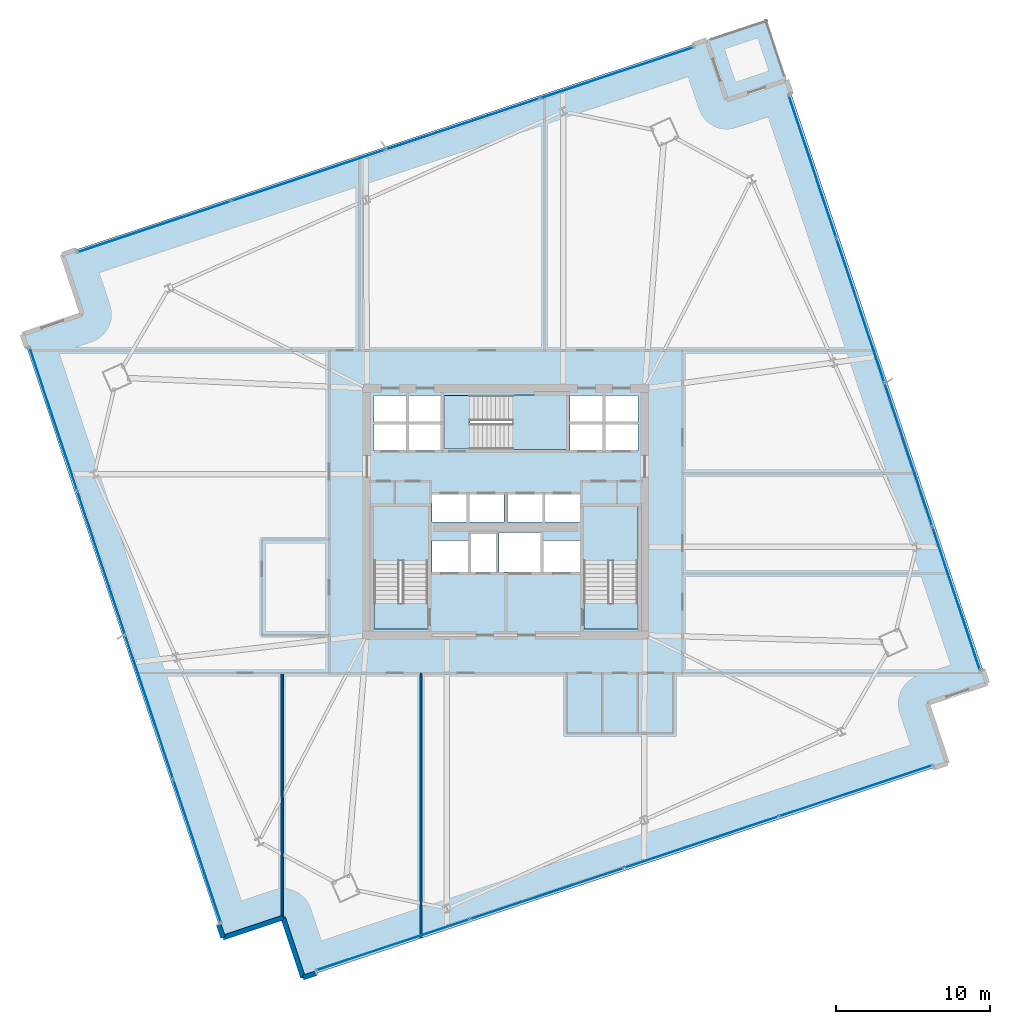
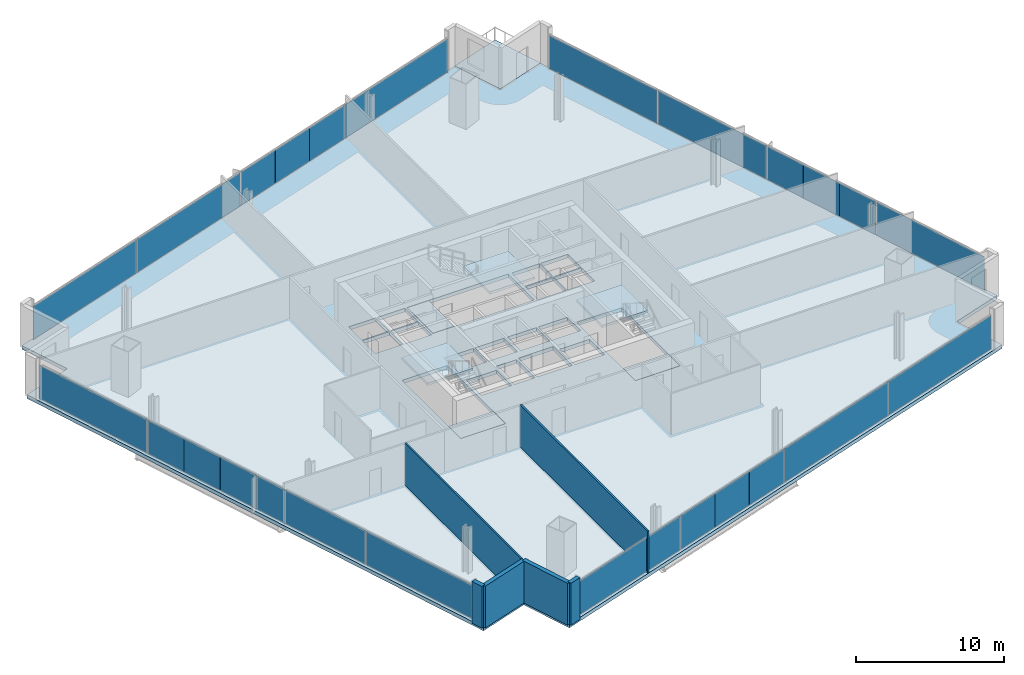
# One storey, part 24 of 34: 24 plates, 8 slabs, 6 walls, 7 elements without a shape of their own.
"""IFC4 building model written with IfcOpenShell, lengths in metres."""

import ifcopenshell
import ifcopenshell.guid

model = None  # the IFC model being written
_history = None  # IfcOwnerHistory: only IFC2X3 demands one
_inside = {}  # id of a spatial element -> (the spatial element, [elements in it])
_under = {}  # id of a project, library or spatial element -> (it, [spatial elements below it])
_declared = {}  # id of a project -> (the project, [libraries it declares])
_typed = {}  # id of a type object -> (the type object, [elements of that type])
_made_of = {}  # id of a material, layer set ... -> (it, [elements and type objects made of it])


def new_model(schema):
    """Start an empty IFC model of exactly this schema.

    Asked for "IFC4X3", IfcOpenShell would pick the latest addendum, in which some entities
    have other attributes; the version numbers below select the first issue.
    IFC2X3 requires an IfcOwnerHistory on every rooted entity: one is made here for all.
    """
    global model, _history
    if schema == "IFC4X3":
        model = ifcopenshell.file(schema_version=(4, 3, 0, 0))
    else:
        model = ifcopenshell.file(schema=schema)
    _inside.clear()
    _under.clear()
    _declared.clear()
    _typed.clear()
    _made_of.clear()
    _history = None
    if model.schema == "IFC2X3":
        org = make("IfcOrganization", Name="unknown")
        user = make(
            "IfcPersonAndOrganization",
            ThePerson=make("IfcPerson", FamilyName="unknown"),
            TheOrganization=org,
        )
        app = make(
            "IfcApplication",
            ApplicationDeveloper=org,
            Version="unknown",
            ApplicationFullName="unknown",
            ApplicationIdentifier="unknown",
        )
        _history = make(
            "IfcOwnerHistory",
            OwningUser=user,
            OwningApplication=app,
            ChangeAction="ADDED",
            CreationDate=0,
        )
    return model


def make(cls, **values):
    """One entity of the class cls with the attributes given. An attribute that is None is left unset."""
    return model.create_entity(
        cls, **{name: value for name, value in values.items() if value is not None}
    )


def rooted(cls, **values):
    """An entity with a GlobalId (a new one), such as an element, a storey or a relation."""
    return make(cls, GlobalId=ifcopenshell.guid.new(), OwnerHistory=_history, **values)


def si_unit(unit_type, name, prefix=None):
    """IfcSIUnit, for example si_unit("LENGTHUNIT", "METRE", prefix="MILLI")."""
    return make("IfcSIUnit", UnitType=unit_type, Prefix=prefix, Name=name)


def assignment(units):
    """IfcUnitAssignment: the units of a project."""
    return None if units is None else make("IfcUnitAssignment", Units=units)


def point(xyz):
    """IfcCartesianPoint."""
    return None if xyz is None else make("IfcCartesianPoint", Coordinates=xyz)


def direction(xyz):
    """IfcDirection."""
    return None if xyz is None else make("IfcDirection", DirectionRatios=xyz)


def frame(location, z_axis=None, x_axis=None):
    """IfcAxis2Placement3D, a coordinate frame: its origin and axes. An axis left out is left unset."""
    return make(
        "IfcAxis2Placement3D",
        Location=point(location),
        Axis=direction(z_axis),
        RefDirection=direction(x_axis),
    )


def frame_2d(location, x_axis=None):
    """IfcAxis2Placement2D, a coordinate frame in the plane: its origin and x axis."""
    return make(
        "IfcAxis2Placement2D", Location=point(location), RefDirection=direction(x_axis)
    )


def origin():
    """The frame at (0, 0, 0) with its axes left unset."""
    return frame((0.0, 0.0, 0.0))


def origin_2d():
    """The frame at (0, 0) in the plane with its x axis left unset."""
    return frame_2d((0.0, 0.0))


def place(relative_to, where):
    """IfcLocalPlacement: puts the frame where relative to a parent placement (None: the world)."""
    return make(
        "IfcLocalPlacement", PlacementRelTo=relative_to, RelativePlacement=where
    )


def context(
    kind, dimensions, precision=None, world=None, true_north=None, identifier=None
):
    """IfcGeometricRepresentationContext, for example the 3D "Model" context."""
    return make(
        "IfcGeometricRepresentationContext",
        ContextIdentifier=identifier,
        ContextType=kind,
        CoordinateSpaceDimension=dimensions,
        Precision=precision,
        WorldCoordinateSystem=world,
        TrueNorth=true_north,
    )


def subcontext(parent, identifier, kind, view, scale=None):
    """IfcGeometricRepresentationSubContext, for example "Body" below "Model"."""
    return make(
        "IfcGeometricRepresentationSubContext",
        ContextIdentifier=identifier,
        ContextType=kind,
        ParentContext=parent,
        TargetScale=scale,
        TargetView=view,
    )


def project(units=None, contexts=None):
    """IfcProject with its units and contexts."""
    return rooted(
        "IfcProject",
        Name="project",
        RepresentationContexts=contexts,
        UnitsInContext=assignment(units),
    )


def spatial(cls, under=None, at=None, **own):
    """A site, building, storey or space (cls), placed at a placement, below another one or the project."""
    s = rooted(cls, ObjectPlacement=at, **own)
    if under is not None:
        _under.setdefault(under.id(), (under, []))[1].append(s)
    return s


def polyline(points):
    """IfcPolyline through the points."""
    return make("IfcPolyline", Points=[point(p) for p in points])


def profile(cls, at=None, kind="AREA", **sizes):
    """A parametric profile (cls). Its sizes go by their IFC names, for example OverallWidth=200.0."""
    return make(cls, ProfileType=kind, Position=at, **sizes)


def rectangle(**sizes):
    """IfcRectangleProfileDef."""
    return profile("IfcRectangleProfileDef", **sizes)


def outline(outer, holes=None, kind="AREA"):
    """IfcArbitraryClosedProfileDef: a profile drawn as a closed curve; with holes, ...WithVoids."""
    if holes is None:
        return make("IfcArbitraryClosedProfileDef", ProfileType=kind, OuterCurve=outer)
    return make(
        "IfcArbitraryProfileDefWithVoids",
        ProfileType=kind,
        OuterCurve=outer,
        InnerCurves=holes,
    )


def extrude(swept, where, along, depth):
    """IfcExtrudedAreaSolid: the profile swept, set in the frame where, extruded along a direction by depth."""
    return make(
        "IfcExtrudedAreaSolid",
        SweptArea=swept,
        Position=where,
        ExtrudedDirection=direction(along),
        Depth=depth,
    )


def shape(context_of_items, identifier, shape_type, items):
    """IfcShapeRepresentation: the items that make up one representation, for example the "Body"."""
    return make(
        "IfcShapeRepresentation",
        ContextOfItems=context_of_items,
        RepresentationIdentifier=identifier,
        RepresentationType=shape_type,
        Items=items,
    )


def source(mapping_origin, context_of_items, identifier, shape_type, items):
    """IfcRepresentationMap: a shape defined once, which mapped items show again and again."""
    return make(
        "IfcRepresentationMap",
        MappingOrigin=mapping_origin,
        MappedRepresentation=shape(context_of_items, identifier, shape_type, items),
    )


def transform(
    local_origin,
    x_axis=None,
    y_axis=None,
    z_axis=None,
    scale=None,
    scale2=None,
    scale3=None,
    uniform=True,
):
    """IfcCartesianTransformationOperator3D, or its non-uniform kind. x_axis, y_axis, z_axis: its Axis1, 2, 3."""
    if uniform:
        return make(
            "IfcCartesianTransformationOperator3D",
            Axis1=direction(x_axis),
            Axis2=direction(y_axis),
            LocalOrigin=point(local_origin),
            Scale=scale,
            Axis3=direction(z_axis),
        )
    return make(
        "IfcCartesianTransformationOperator3DnonUniform",
        Axis1=direction(x_axis),
        Axis2=direction(y_axis),
        LocalOrigin=point(local_origin),
        Scale=scale,
        Axis3=direction(z_axis),
        Scale2=scale2,
        Scale3=scale3,
    )


def mapped(mapping_source, mapping_target):
    """IfcMappedItem: shows the shape of a source again, moved by a transform."""
    return make(
        "IfcMappedItem", MappingSource=mapping_source, MappingTarget=mapping_target
    )


def material(Name=None, Category=None):
    """IfcMaterial."""
    return make("IfcMaterial", Name=Name, Category=Category)


def layer(
    of_material, thickness, ventilated=None, Name=None, Category=None, Priority=None
):
    """IfcMaterialLayer: one layer of a wall or slab, of a material (None: an air gap)."""
    return make(
        "IfcMaterialLayer",
        Material=of_material,
        LayerThickness=thickness,
        IsVentilated=ventilated,
        Name=Name,
        Category=Category,
        Priority=Priority,
    )


def layer_set(layers, Name=None):
    """IfcMaterialLayerSet."""
    return make("IfcMaterialLayerSet", MaterialLayers=layers, LayerSetName=Name)


def made_of(thing, what):
    """Note that an element or type object is made of a material, layer set ...; save() writes the relation."""
    if what is not None:
        _made_of.setdefault(what.id(), (what, []))[1].append(thing)
    return thing


def type_object(cls, material=None, **own):
    """A type object (cls), such as IfcWallType, which elements share."""
    return made_of(rooted(cls, **own), material)


def element(
    cls,
    number,
    at=None,
    inside=None,
    cuts=None,
    type_object=None,
    material=None,
    context=None,
    identifier="Body",
    shape_type=None,
    held_by="IfcProductDefinitionShape",
    body=None,
    shapes=None,
    **own,
):
    """One element of the class cls, such as IfcWall. Its Tag is "e" and its number.

    at: its placement. inside: the storey or other place that contains it. cuts: it is an
    opening in that element (IfcRelVoidsElement). A single representation is given by context,
    identifier, shape_type and body (its items); several are given by shapes. held_by: the class
    of the entity that holds the representations. save() writes the other relations.
    """
    e = rooted(cls, Tag="e%d" % number, ObjectPlacement=at, **own)
    if body is not None:
        shapes = [shape(context, identifier, shape_type, body)]
    if shapes is not None:
        e.Representation = make(held_by, Representations=shapes)
    if inside is not None:
        _inside.setdefault(inside.id(), (inside, []))[1].append(e)
    if cuts is not None:
        rooted(
            "IfcRelVoidsElement", RelatingBuildingElement=cuts, RelatedOpeningElement=e
        )
    if type_object is not None:
        _typed.setdefault(type_object.id(), (type_object, []))[1].append(e)
    return made_of(e, material)


def aggregate(whole, parts):
    """IfcRelAggregates: a whole, such as a stair, and the parts it consists of."""
    return rooted("IfcRelAggregates", RelatingObject=whole, RelatedObjects=parts)


def save(model, path):
    """Write the relations noted so far, then the file.

    IfcRelAggregates (storeys below a building ...), IfcRelContainedInSpatialStructure (elements
    in a storey), IfcRelDefinesByType, IfcRelAssociatesMaterial and IfcRelDeclares: one each for
    every whole, place, type object, material and project.
    """
    for whole, parts in _under.values():
        aggregate(whole, parts)
    for where, things in _inside.values():
        rooted(
            "IfcRelContainedInSpatialStructure",
            RelatedElements=things,
            RelatingStructure=where,
        )
    for kind, things in _typed.values():
        rooted("IfcRelDefinesByType", RelatedObjects=things, RelatingType=kind)
    for what, things in _made_of.values():
        rooted("IfcRelAssociatesMaterial", RelatedObjects=things, RelatingMaterial=what)
    for by, libraries in _declared.values():
        rooted("IfcRelDeclares", RelatingContext=by, RelatedDefinitions=libraries)
    model.write(path)


model = new_model("IFC4")

# Units and contexts
model_context = context("Model", 3, precision=1e-05, world=origin(), true_north=direction((0.0, 1.0)))
body_context = subcontext(model_context, "Body", "Model", "MODEL_VIEW")
ifc_project = project(units=[si_unit("LENGTHUNIT", "METRE"), si_unit("AREAUNIT", "SQUARE_METRE"), si_unit("VOLUMEUNIT", "CUBIC_METRE"), si_unit("PLANEANGLEUNIT", "RADIAN"), si_unit("MASSUNIT", "GRAM", prefix="KILO")], contexts=[model_context])

# Site, building, storey
site_placement = place(None, origin())
site = spatial("IfcSite", under=ifc_project, at=site_placement, CompositionType="ELEMENT")
building_placement = place(site_placement, origin())
building = spatial("IfcBuilding", under=site, at=building_placement, Name="Haldenkirk Collegiate Tower", CompositionType="ELEMENT")
storey_placement = place(building_placement, frame((0.0, 0.0, 90.449951171875)))
storey = spatial("IfcBuildingStorey", under=building, at=storey_placement, Name="L21", CompositionType="ELEMENT", Elevation=90.449951171875)

# Slab
ifc_material_1 = material(Name="Concrete f'c 40 MPa", Category="concrete")
ifc_layer_1 = layer(ifc_material_1, 0.300048828125)
ifc_layer_set_1 = layer_set([ifc_layer_1], Name="Concrete f'c 40 MPa")
slab_type_1 = type_object("IfcSlabType", Name="SLB-FLR-300", PredefinedType="FLOOR", material=ifc_layer_set_1)
slab_1_placement = place(storey_placement, frame((0.0, 0.0, -0.300048828125)))
element("IfcSlab", 1, at=slab_1_placement, inside=storey, type_object=slab_type_1, Name="L21 composite structural floor slab", PredefinedType="FLOOR", context=body_context, shape_type="SweptSolid", body=[
    extrude(outline(polyline([(22.858154296875, -4.191650390625), (64.608642578125, 9.69677734375), (63.314453125, 13.587158203125), (67.204833984375, 14.88134765625), (54.2001953125, 53.97509765625), (50.309814453125, 52.680908203125), (49.015625, 56.5712890625), (7.26513671875, 42.6826171875), (8.55908203125, 38.792236328125), (4.668701171875, 37.498291015625), (17.673583984375, -1.595458984375), (21.56396484375, -0.30126953125), (22.858154296875, -4.191650390625)]), holes=[polyline([(27.449951171875, 18.39990234375), (30.949951171875, 18.39990234375), (30.949951171875, 26.300048828125), (27.449951171875, 26.300048828125), (27.449951171875, 18.39990234375)]), polyline([(41.050048828125, 18.39990234375), (44.550048828125, 18.39990234375), (44.550048828125, 26.300048828125), (41.050048828125, 26.300048828125), (41.050048828125, 18.39990234375)]), polyline([(32.0, 30.050048828125), (39.89990234375, 30.050048828125), (39.89990234375, 33.550048828125), (32.0, 33.550048828125), (32.0, 30.050048828125)]), polyline([(33.75, 22.10009765625), (35.35009765625, 22.10009765625), (35.35009765625, 24.550048828125), (33.75, 24.550048828125), (33.75, 22.10009765625)]), polyline([(27.449951171875, 29.949951171875), (29.580078125, 29.949951171875), (29.580078125, 31.699951171875), (27.449951171875, 31.699951171875), (27.449951171875, 29.949951171875)]), polyline([(29.679931640625, 29.949951171875), (31.85009765625, 29.949951171875), (31.85009765625, 31.699951171875), (29.679931640625, 31.699951171875), (29.679931640625, 29.949951171875)]), polyline([(27.449951171875, 31.800048828125), (29.580078125, 31.800048828125), (29.580078125, 33.550048828125), (27.449951171875, 33.550048828125), (27.449951171875, 31.800048828125)]), polyline([(29.679931640625, 31.800048828125), (31.85009765625, 31.800048828125), (31.85009765625, 33.550048828125), (29.679931640625, 33.550048828125), (29.679931640625, 31.800048828125)]), polyline([(40.14990234375, 29.949951171875), (42.320068359375, 29.949951171875), (42.320068359375, 31.699951171875), (40.14990234375, 31.699951171875), (40.14990234375, 29.949951171875)]), polyline([(42.419921875, 29.949951171875), (44.550048828125, 29.949951171875), (44.550048828125, 31.699951171875), (42.419921875, 31.699951171875), (42.419921875, 29.949951171875)]), polyline([(40.14990234375, 31.800048828125), (42.320068359375, 31.800048828125), (42.320068359375, 33.550048828125), (40.14990234375, 33.550048828125), (40.14990234375, 31.800048828125)]), polyline([(42.419921875, 31.800048828125), (44.550048828125, 31.800048828125), (44.550048828125, 33.550048828125), (42.419921875, 33.550048828125), (42.419921875, 31.800048828125)]), polyline([(31.199951171875, 25.35009765625), (33.47998046875, 25.35009765625), (33.47998046875, 27.14990234375), (31.199951171875, 27.14990234375), (31.199951171875, 25.35009765625)]), polyline([(33.60009765625, 25.35009765625), (35.8798828125, 25.35009765625), (35.8798828125, 27.14990234375), (33.60009765625, 27.14990234375), (33.60009765625, 25.35009765625)]), polyline([(36.1201171875, 25.35009765625), (38.39990234375, 25.35009765625), (38.39990234375, 27.14990234375), (36.1201171875, 27.14990234375), (36.1201171875, 25.35009765625)]), polyline([(38.52001953125, 25.35009765625), (40.800048828125, 25.35009765625), (40.800048828125, 27.14990234375), (38.52001953125, 27.14990234375), (38.52001953125, 25.35009765625)]), polyline([(31.199951171875, 22.10009765625), (33.550048828125, 22.10009765625), (33.550048828125, 24.14990234375), (31.199951171875, 24.14990234375), (31.199951171875, 22.10009765625)]), polyline([(38.449951171875, 22.10009765625), (40.800048828125, 22.10009765625), (40.800048828125, 24.14990234375), (38.449951171875, 24.14990234375), (38.449951171875, 22.10009765625)]), polyline([(35.550048828125, 22.10009765625), (38.25, 22.10009765625), (38.25, 24.64990234375), (35.550048828125, 24.64990234375), (35.550048828125, 22.10009765625)])]), origin(), (0.0, 0.0, 1.0), 0.300048828125),
])

# Stair, slab
stair_type = type_object("IfcStairType", Name="STR-DOGLEG-1650", PredefinedType="HALF_TURN_STAIR", material=ifc_material_1)
stair_1_placement = place(storey_placement, origin())
stair_1 = element("IfcStair", 2, at=stair_1_placement, inside=storey, type_object=stair_type, Name="L21 Core Exit Stair ST-1", PredefinedType="HALF_TURN_STAIR")
ifc_layer_2 = layer(ifc_material_1, 0.199951171875)
ifc_layer_set_2 = layer_set([ifc_layer_2], Name="Concrete f'c 40 MPa")
slab_type_2 = type_object("IfcSlabType", Name="SLB-LANDING-200", PredefinedType="LANDING", material=ifc_layer_set_2)
slab_2_placement = place(storey_placement, frame((0.0, 0.0, 1.675048828125)))
slab_2 = element("IfcSlab", 3, at=slab_2_placement, type_object=slab_type_2, Name="ST-1 landing 1", PredefinedType="LANDING", context=body_context, shape_type="SweptSolid", body=[
    extrude(outline(polyline([(30.97509765625, 22.824951171875), (27.425048828125, 22.824951171875), (27.425048828125, 26.324951171875), (30.97509765625, 26.324951171875), (30.97509765625, 22.824951171875)])), origin(), (0.0, 0.0, 1.0), 0.199951171875),
])
aggregate(stair_1, [slab_2])

stair_2_placement = place(storey_placement, origin())
stair_2 = element("IfcStair", 4, at=stair_2_placement, inside=storey, type_object=stair_type, Name="L21 Core Exit Stair ST-2", PredefinedType="HALF_TURN_STAIR")
slab_3_placement = place(storey_placement, frame((0.0, 0.0, 1.675048828125)))
slab_3 = element("IfcSlab", 5, at=slab_3_placement, type_object=slab_type_2, Name="ST-2 landing 1", PredefinedType="LANDING", context=body_context, shape_type="SweptSolid", body=[
    extrude(outline(polyline([(44.574951171875, 22.824951171875), (41.02490234375, 22.824951171875), (41.02490234375, 26.324951171875), (44.574951171875, 26.324951171875), (44.574951171875, 22.824951171875)])), origin(), (0.0, 0.0, 1.0), 0.199951171875),
])
aggregate(stair_2, [slab_3])

stair_3_placement = place(storey_placement, origin())
stair_3 = element("IfcStair", 6, at=stair_3_placement, inside=storey, type_object=stair_type, Name="L21 Core Exit Stair ST-3", PredefinedType="HALF_TURN_STAIR")
slab_4_placement = place(storey_placement, frame((0.0, 0.0, 1.675048828125)))
slab_4 = element("IfcSlab", 7, at=slab_4_placement, type_object=slab_type_2, Name="ST-3 landing 1", PredefinedType="LANDING", context=body_context, shape_type="SweptSolid", body=[
    extrude(outline(polyline([(36.425048828125, 30.02490234375), (36.425048828125, 33.574951171875), (39.925048828125, 33.574951171875), (39.925048828125, 30.02490234375), (36.425048828125, 30.02490234375)])), origin(), (0.0, 0.0, 1.0), 0.199951171875),
])
aggregate(stair_3, [slab_4])

# Slabs
ifc_layer_3 = layer(ifc_material_1, 0.25)
ifc_layer_set_3 = layer_set([ifc_layer_3], Name="Concrete f'c 40 MPa")
slab_type_3 = type_object("IfcSlabType", Name="SLB-STAIRLAND-250", PredefinedType="LANDING", material=ifc_layer_set_3)
slab_5_placement = place(storey_placement, frame((0.0, 0.0, -0.25)))
element("IfcSlab", 8, at=slab_5_placement, inside=storey, type_object=slab_type_3, Name="L21 stair ST1 structural floor landing slab", PredefinedType="LANDING", context=body_context, shape_type="SweptSolid", body=[
    extrude(outline(polyline([(27.4599609375, 18.409912109375), (30.93994140625, 18.409912109375), (30.93994140625, 20.080078125), (27.4599609375, 20.080078125), (27.4599609375, 18.409912109375)])), origin(), (0.0, 0.0, 1.0), 0.25),
])
slab_6_placement = place(storey_placement, frame((0.0, 0.0, -0.25)))
element("IfcSlab", 9, at=slab_6_placement, inside=storey, type_object=slab_type_3, Name="L21 stair ST2 structural floor landing slab", PredefinedType="LANDING", context=body_context, shape_type="SweptSolid", body=[
    extrude(outline(polyline([(41.06005859375, 18.409912109375), (44.5400390625, 18.409912109375), (44.5400390625, 20.080078125), (41.06005859375, 20.080078125), (41.06005859375, 18.409912109375)])), origin(), (0.0, 0.0, 1.0), 0.25),
])
slab_7_placement = place(storey_placement, frame((0.0, 0.0, -0.25)))
element("IfcSlab", 10, at=slab_7_placement, inside=storey, type_object=slab_type_3, Name="L21 stair ST3 structural floor landing slab", PredefinedType="LANDING", context=body_context, shape_type="SweptSolid", body=[
    extrude(outline(polyline([(32.010009765625, 30.06005859375), (33.679931640625, 30.06005859375), (33.679931640625, 33.5400390625), (32.010009765625, 33.5400390625), (32.010009765625, 30.06005859375)])), origin(), (0.0, 0.0, 1.0), 0.25),
])
ifc_layer_4 = layer(ifc_material_1, 0.22998046875)
ifc_layer_set_4 = layer_set([ifc_layer_4], Name="Concrete f'c 40 MPa")
slab_type_4 = type_object("IfcSlabType", Name="SLB-TERR-SPIRAL-230", PredefinedType="FLOOR", material=ifc_layer_set_4)
slab_8_placement = place(storey_placement, frame((0.0, 0.0, -0.22998046875)))
element("IfcSlab", 11, at=slab_8_placement, inside=storey, type_object=slab_type_4, Name="L21 spiralling corner terrace slab", PredefinedType="FLOOR", context=body_context, shape_type="SweptSolid", body=[
    extrude(outline(polyline([(50.309814453125, 52.680908203125), (54.2001953125, 53.97509765625), (52.906005859375, 57.865478515625), (49.015625, 56.5712890625), (50.309814453125, 52.680908203125)])), origin(), (0.0, 0.0, 1.0), 0.22998046875),
])

# Curtain wall, plates
ifc_material_2 = material(Name="Anodised architectural bronze aluminium", Category="aluminium")
curtain_wall_type_1 = type_object("IfcCurtainWallType", Name="CW-SYS2-CONCAVE", PredefinedType="USERDEFINED", material=ifc_material_2)
curtain_wall_1_placement = place(storey_placement, origin())
curtain_wall_1 = element("IfcCurtainWall", 12, at=curtain_wall_1_placement, inside=storey, type_object=curtain_wall_type_1, Name="L21 South concave recessed bronze-anodised curtain wall", ObjectType="UNITISED CURTAIN WALL", PredefinedType="USERDEFINED")
ifc_material_3 = material(Name="Low-E argon triple insulating glass", Category="glass")
ifc_layer_5 = layer(ifc_material_3, 0.0419921875)
ifc_layer_set_5 = layer_set([ifc_layer_5], Name="Low-E argon triple insulating glass")
plate_type_1 = type_object("IfcPlateType", Name="CW-PNL-02", PredefinedType="CURTAIN_PANEL", material=ifc_layer_set_5)
shared_shape_1 = source(origin(), body_context, "Body", "SweptSolid", [
    extrude(rectangle(XDim=10.4375, YDim=0.0419921875, at=origin_2d()), origin(), (0.0, 0.0, 1.0), 2.7509765625),
])
plate_1_placement = place(storey_placement, frame((58.6748046875, 7.91259765625, 0.074951171875), z_axis=(0.0, 0.0, 1.0), x_axis=(-0.948876722142, -0.315646901106, 0.0)))
plate_1 = element("IfcPlate", 13, at=plate_1_placement, type_object=plate_type_1, Name="CW-02 panel 1.1", PredefinedType="CURTAIN_PANEL", context=body_context, shape_type="MappedRepresentation", body=[
    mapped(shared_shape_1, transform((0.0, 0.0, 0.0), x_axis=(1.0, 0.0, 0.0), y_axis=(0.0, 1.0, 0.0), z_axis=(0.0, 0.0, 1.0), scale=1.0)),
])
plate_2_placement = place(storey_placement, frame((28.678466796875, -2.06591796875, 0.074951171875), z_axis=(0.0, 0.0, 1.0), x_axis=(-0.948876722142, -0.315646901106, 0.0)))
plate_2 = element("IfcPlate", 14, at=plate_2_placement, type_object=plate_type_1, Name="CW-02 panel 4.1", PredefinedType="CURTAIN_PANEL", context=body_context, shape_type="MappedRepresentation", body=[
    mapped(shared_shape_1, transform((0.0, 0.0, 0.0), x_axis=(1.0, 0.0, 0.0), y_axis=(0.0, 1.0, 0.0), z_axis=(0.0, 0.0, 1.0), scale=1.0)),
])
shared_shape_2 = source(origin(), body_context, "Body", "SweptSolid", [
    extrude(rectangle(XDim=10.47509765625, YDim=0.0419921875, at=origin_2d()), origin(), (0.0, 0.0, 1.0), 2.7509765625),
])
plate_3_placement = place(storey_placement, frame((48.681884765625, 4.58837890625, 0.074951171875), z_axis=(0.0, 0.0, 1.0), x_axis=(-0.948876722142, -0.315646901106, 0.0)))
plate_3 = element("IfcPlate", 15, at=plate_3_placement, type_object=plate_type_1, Name="CW-02 panel 2.1", PredefinedType="CURTAIN_PANEL", context=body_context, shape_type="MappedRepresentation", body=[
    mapped(shared_shape_2, transform((0.0, 0.0, 0.0), x_axis=(1.0, 0.0, 0.0), y_axis=(0.0, 1.0, 0.0), z_axis=(0.0, 0.0, 1.0), scale=1.0)),
])
ifc_material_4 = material(Name="Bronze-anodised insulated aluminium spandrel panel", Category="aluminium")
ifc_layer_6 = layer(ifc_material_4, 0.0419921875)
ifc_layer_set_6 = layer_set([ifc_layer_6], Name="Bronze-anodised insulated aluminium spandrel panel")
plate_type_2 = type_object("IfcPlateType", Name="CW-SPD-02", PredefinedType="CURTAIN_PANEL", material=ifc_layer_set_6)
shared_shape_3 = source(origin(), body_context, "Body", "SweptSolid", [
    extrude(rectangle(XDim=3.479248046875, YDim=0.0419921875, at=origin_2d()), origin(), (0.0, 0.0, 1.0), 2.7509765625),
])
plate_4_placement = place(storey_placement, frame((41.990478515625, 2.3623046875, 0.074951171875), z_axis=(0.0, 0.0, 1.0), x_axis=(-0.948876722142, -0.315646901106, 0.0)))
plate_4 = element("IfcPlate", 16, at=plate_4_placement, type_object=plate_type_2, Name="CW-02 spandrel panel 3.1a", PredefinedType="CURTAIN_PANEL", context=body_context, shape_type="MappedRepresentation", body=[
    mapped(shared_shape_3, transform((0.0, 0.0, 0.0), x_axis=(1.0, 0.0, 0.0), y_axis=(0.0, 1.0, 0.0), z_axis=(0.0, 0.0, 1.0), scale=1.0)),
])
plate_5_placement = place(storey_placement, frame((35.352294921875, 0.154296875, 0.074951171875), z_axis=(0.0, 0.0, 1.0), x_axis=(-0.948876722142, -0.315646901106, 0.0)))
plate_5 = element("IfcPlate", 17, at=plate_5_placement, type_object=plate_type_2, Name="CW-02 spandrel panel 3.1c", PredefinedType="CURTAIN_PANEL", context=body_context, shape_type="MappedRepresentation", body=[
    mapped(shared_shape_3, transform((0.0, 0.0, 0.0), x_axis=(1.0, 0.0, 0.0), y_axis=(0.0, 1.0, 0.0), z_axis=(0.0, 0.0, 1.0), scale=1.0)),
])
shared_shape_4 = source(origin(), body_context, "Body", "SweptSolid", [
    extrude(rectangle(XDim=3.466796875, YDim=0.0419921875, at=origin_2d()), origin(), (0.0, 0.0, 1.0), 2.7509765625),
])
plate_6_placement = place(storey_placement, frame((38.67138671875, 1.25830078125, 0.074951171875), z_axis=(0.0, 0.0, 1.0), x_axis=(-0.948876722142, -0.315646901106, 0.0)))
plate_6 = element("IfcPlate", 18, at=plate_6_placement, type_object=plate_type_2, Name="CW-02 spandrel panel 3.1b", PredefinedType="CURTAIN_PANEL", context=body_context, shape_type="MappedRepresentation", body=[
    mapped(shared_shape_4, transform((0.0, 0.0, 0.0), x_axis=(1.0, 0.0, 0.0), y_axis=(0.0, 1.0, 0.0), z_axis=(0.0, 0.0, 1.0), scale=1.0)),
])
aggregate(curtain_wall_1, [plate_1, plate_3, plate_4, plate_6, plate_5, plate_2])

curtain_wall_type_2 = type_object("IfcCurtainWallType", Name="CW-SYS1-CONVEX-LOW", PredefinedType="USERDEFINED", material=ifc_material_2)
curtain_wall_2_placement = place(storey_placement, origin())
curtain_wall_2 = element("IfcCurtainWall", 19, at=curtain_wall_2_placement, inside=storey, type_object=curtain_wall_type_2, Name="L21 Lower tower convex bronze-framed unitised curtain wall", ObjectType="UNITISED CURTAIN WALL", PredefinedType="USERDEFINED")
ifc_layer_7 = layer(ifc_material_3, 0.0439453125)
ifc_layer_set_7 = layer_set([ifc_layer_7], Name="Low-E argon triple insulating glass")
plate_type_3 = type_object("IfcPlateType", Name="CW-PNL-1A", PredefinedType="CURTAIN_PANEL", material=ifc_layer_set_7)
shared_shape_5 = source(origin(), body_context, "Body", "SweptSolid", [
    extrude(rectangle(XDim=9.72998046875, YDim=0.0439453125, at=origin_2d()), origin(), (0.0, 0.0, 1.0), 2.740966796875),
])
plate_7_placement = place(storey_placement, frame((55.874267578125, 48.3720703125, 0.080078125), z_axis=(0.0, 0.0, 1.0), x_axis=(0.315647503281, -0.948876521826, 0.0)))
plate_7 = element("IfcPlate", 20, at=plate_7_placement, type_object=plate_type_3, Name="CW-1A panel 1.1", PredefinedType="CURTAIN_PANEL", context=body_context, shape_type="MappedRepresentation", body=[
    mapped(shared_shape_5, transform((0.0, 0.0, 0.0), x_axis=(1.0, 0.0, 0.0), y_axis=(0.0, 1.0, 0.0), z_axis=(0.0, 0.0, 1.0), scale=1.0)),
])
plate_8_placement = place(storey_placement, frame((65.189208984375, 20.370849609375, 0.080078125), z_axis=(0.0, 0.0, 1.0), x_axis=(0.315647503281, -0.948876521826, 0.0)))
plate_8 = element("IfcPlate", 21, at=plate_8_placement, type_object=plate_type_3, Name="CW-1A panel 4.1", PredefinedType="CURTAIN_PANEL", context=body_context, shape_type="MappedRepresentation", body=[
    mapped(shared_shape_5, transform((0.0, 0.0, 0.0), x_axis=(1.0, 0.0, 0.0), y_axis=(0.0, 1.0, 0.0), z_axis=(0.0, 0.0, 1.0), scale=1.0)),
])

curtain_wall_3_placement = place(storey_placement, origin())
curtain_wall_3 = element("IfcCurtainWall", 22, at=curtain_wall_3_placement, inside=storey, type_object=curtain_wall_type_2, Name="L21 Lower tower convex bronze-framed unitised curtain wall", ObjectType="UNITISED CURTAIN WALL", PredefinedType="USERDEFINED")
plate_9_placement = place(storey_placement, frame((15.99951171875, 4.007568359375, 0.080078125), z_axis=(0.0, 0.0, 1.0), x_axis=(-0.315649788486, 0.948875761641, 0.0)))
plate_9 = element("IfcPlate", 23, at=plate_9_placement, type_object=plate_type_3, Name="CW-1A panel 1.1", PredefinedType="CURTAIN_PANEL", context=body_context, shape_type="MappedRepresentation", body=[
    mapped(shared_shape_5, transform((0.0, 0.0, 0.0), x_axis=(1.0, 0.0, 0.0), y_axis=(0.0, 1.0, 0.0), z_axis=(0.0, 0.0, 1.0), scale=1.0)),
])
plate_10_placement = place(storey_placement, frame((6.6845703125, 32.0087890625, 0.080078125), z_axis=(0.0, 0.0, 1.0), x_axis=(-0.315649788486, 0.948875761641, 0.0)))
plate_10 = element("IfcPlate", 24, at=plate_10_placement, type_object=plate_type_3, Name="CW-1A panel 4.1", PredefinedType="CURTAIN_PANEL", context=body_context, shape_type="MappedRepresentation", body=[
    mapped(shared_shape_5, transform((0.0, 0.0, 0.0), x_axis=(1.0, 0.0, 0.0), y_axis=(0.0, 1.0, 0.0), z_axis=(0.0, 0.0, 1.0), scale=1.0)),
])

# Plate
shared_shape_6 = source(origin(), body_context, "Body", "SweptSolid", [
    extrude(rectangle(XDim=9.77001953125, YDim=0.0439453125, at=origin_2d()), origin(), (0.0, 0.0, 1.0), 2.740966796875),
])
plate_11_placement = place(storey_placement, frame((58.977294921875, 39.044677734375, 0.080078125), z_axis=(0.0, 0.0, 1.0), x_axis=(0.315647503281, -0.948876521826, 0.0)))
plate_11 = element("IfcPlate", 25, at=plate_11_placement, type_object=plate_type_3, Name="CW-1A panel 2.1", PredefinedType="CURTAIN_PANEL", context=body_context, shape_type="MappedRepresentation", body=[
    mapped(shared_shape_6, transform((0.0, 0.0, 0.0), x_axis=(1.0, 0.0, 0.0), y_axis=(0.0, 1.0, 0.0), z_axis=(0.0, 0.0, 1.0), scale=1.0)),
])

plate_12_placement = place(storey_placement, frame((12.896484375, 13.3349609375, 0.080078125), z_axis=(0.0, 0.0, 1.0), x_axis=(-0.315649788486, 0.948875761641, 0.0)))
plate_12 = element("IfcPlate", 26, at=plate_12_placement, type_object=plate_type_3, Name="CW-1A panel 2.1", PredefinedType="CURTAIN_PANEL", context=body_context, shape_type="MappedRepresentation", body=[
    mapped(shared_shape_6, transform((0.0, 0.0, 0.0), x_axis=(1.0, 0.0, 0.0), y_axis=(0.0, 1.0, 0.0), z_axis=(0.0, 0.0, 1.0), scale=1.0)),
])

ifc_layer_8 = layer(ifc_material_4, 0.0439453125)
ifc_layer_set_8 = layer_set([ifc_layer_8], Name="Bronze-anodised insulated aluminium spandrel panel")
plate_type_4 = type_object("IfcPlateType", Name="CW-SPD-1A", PredefinedType="CURTAIN_PANEL", material=ifc_layer_set_8)
shared_shape_7 = source(origin(), body_context, "Body", "SweptSolid", [
    extrude(rectangle(XDim=3.244140625, YDim=0.0439453125, at=origin_2d()), origin(), (0.0, 0.0, 1.0), 2.740966796875),
])
plate_13_placement = place(storey_placement, frame((61.056396484375, 32.794189453125, 0.080078125), z_axis=(0.0, 0.0, 1.0), x_axis=(0.315647503281, -0.948876521826, 0.0)))
plate_13 = element("IfcPlate", 27, at=plate_13_placement, type_object=plate_type_4, Name="CW-1A spandrel panel 3.1a", PredefinedType="CURTAIN_PANEL", context=body_context, shape_type="MappedRepresentation", body=[
    mapped(shared_shape_7, transform((0.0, 0.0, 0.0), x_axis=(1.0, 0.0, 0.0), y_axis=(0.0, 1.0, 0.0), z_axis=(0.0, 0.0, 1.0), scale=1.0)),
])

plate_14_placement = place(storey_placement, frame((63.1162109375, 26.60205078125, 0.080078125), z_axis=(0.0, 0.0, 1.0), x_axis=(0.315647503281, -0.948876521826, 0.0)))
plate_14 = element("IfcPlate", 28, at=plate_14_placement, type_object=plate_type_4, Name="CW-1A spandrel panel 3.1c", PredefinedType="CURTAIN_PANEL", context=body_context, shape_type="MappedRepresentation", body=[
    mapped(shared_shape_7, transform((0.0, 0.0, 0.0), x_axis=(1.0, 0.0, 0.0), y_axis=(0.0, 1.0, 0.0), z_axis=(0.0, 0.0, 1.0), scale=1.0)),
])

plate_15_placement = place(storey_placement, frame((10.8173828125, 19.585205078125, 0.080078125), z_axis=(0.0, 0.0, 1.0), x_axis=(-0.315649788486, 0.948875761641, 0.0)))
plate_15 = element("IfcPlate", 29, at=plate_15_placement, type_object=plate_type_4, Name="CW-1A spandrel panel 3.1a", PredefinedType="CURTAIN_PANEL", context=body_context, shape_type="MappedRepresentation", body=[
    mapped(shared_shape_7, transform((0.0, 0.0, 0.0), x_axis=(1.0, 0.0, 0.0), y_axis=(0.0, 1.0, 0.0), z_axis=(0.0, 0.0, 1.0), scale=1.0)),
])

plate_16_placement = place(storey_placement, frame((8.757568359375, 25.777587890625, 0.080078125), z_axis=(0.0, 0.0, 1.0), x_axis=(-0.315649788486, 0.948875761641, 0.0)))
plate_16 = element("IfcPlate", 30, at=plate_16_placement, type_object=plate_type_4, Name="CW-1A spandrel panel 3.1c", PredefinedType="CURTAIN_PANEL", context=body_context, shape_type="MappedRepresentation", body=[
    mapped(shared_shape_7, transform((0.0, 0.0, 0.0), x_axis=(1.0, 0.0, 0.0), y_axis=(0.0, 1.0, 0.0), z_axis=(0.0, 0.0, 1.0), scale=1.0)),
])

shared_shape_8 = source(origin(), body_context, "Body", "SweptSolid", [
    extrude(rectangle(XDim=3.231689453125, YDim=0.0439453125, at=origin_2d()), origin(), (0.0, 0.0, 1.0), 2.740966796875),
])
plate_17_placement = place(storey_placement, frame((62.086181640625, 29.6982421875, 0.080078125), z_axis=(0.0, 0.0, 1.0), x_axis=(0.315647503281, -0.948876521826, 0.0)))
plate_17 = element("IfcPlate", 31, at=plate_17_placement, type_object=plate_type_4, Name="CW-1A spandrel panel 3.1b", PredefinedType="CURTAIN_PANEL", context=body_context, shape_type="MappedRepresentation", body=[
    mapped(shared_shape_8, transform((0.0, 0.0, 0.0), x_axis=(1.0, 0.0, 0.0), y_axis=(0.0, 1.0, 0.0), z_axis=(0.0, 0.0, 1.0), scale=1.0)),
])

aggregate(curtain_wall_2, [plate_7, plate_11, plate_13, plate_17, plate_14, plate_8])

plate_18_placement = place(storey_placement, frame((9.787353515625, 22.681396484375, 0.080078125), z_axis=(0.0, 0.0, 1.0), x_axis=(-0.315649788486, 0.948875761641, 0.0)))
plate_18 = element("IfcPlate", 32, at=plate_18_placement, type_object=plate_type_4, Name="CW-1A spandrel panel 3.1b", PredefinedType="CURTAIN_PANEL", context=body_context, shape_type="MappedRepresentation", body=[
    mapped(shared_shape_8, transform((0.0, 0.0, 0.0), x_axis=(1.0, 0.0, 0.0), y_axis=(0.0, 1.0, 0.0), z_axis=(0.0, 0.0, 1.0), scale=1.0)),
])

aggregate(curtain_wall_3, [plate_9, plate_12, plate_15, plate_18, plate_16, plate_10])

# Curtain wall, plates
curtain_wall_4_placement = place(storey_placement, origin())
curtain_wall_4 = element("IfcCurtainWall", 33, at=curtain_wall_4_placement, inside=storey, type_object=curtain_wall_type_2, Name="L21 Lower tower convex bronze-framed unitised curtain wall", ObjectType="UNITISED CURTAIN WALL", PredefinedType="USERDEFINED")
shared_shape_9 = source(origin(), body_context, "Body", "SweptSolid", [
    extrude(rectangle(XDim=10.429931640625, YDim=0.0439453125, at=origin_2d()), origin(), (0.0, 0.0, 1.0), 2.740966796875),
])
plate_19_placement = place(storey_placement, frame((13.2001953125, 44.46728515625, 0.080078125), z_axis=(0.0, 0.0, 1.0), x_axis=(0.9488757763, 0.315649744417, 0.0)))
plate_19 = element("IfcPlate", 34, at=plate_19_placement, type_object=plate_type_3, Name="CW-1A panel 1.1", PredefinedType="CURTAIN_PANEL", context=body_context, shape_type="MappedRepresentation", body=[
    mapped(shared_shape_9, transform((0.0, 0.0, 0.0), x_axis=(1.0, 0.0, 0.0), y_axis=(0.0, 1.0, 0.0), z_axis=(0.0, 0.0, 1.0), scale=1.0)),
])
plate_20_placement = place(storey_placement, frame((43.194091796875, 54.445068359375, 0.080078125), z_axis=(0.0, 0.0, 1.0), x_axis=(0.9488757763, 0.315649744417, 0.0)))
plate_20 = element("IfcPlate", 35, at=plate_20_placement, type_object=plate_type_3, Name="CW-1A panel 4.1", PredefinedType="CURTAIN_PANEL", context=body_context, shape_type="MappedRepresentation", body=[
    mapped(shared_shape_9, transform((0.0, 0.0, 0.0), x_axis=(1.0, 0.0, 0.0), y_axis=(0.0, 1.0, 0.0), z_axis=(0.0, 0.0, 1.0), scale=1.0)),
])
shared_shape_10 = source(origin(), body_context, "Body", "SweptSolid", [
    extrude(rectangle(XDim=10.469970703125, YDim=0.0439453125, at=origin_2d()), origin(), (0.0, 0.0, 1.0), 2.740966796875),
])
plate_21_placement = place(storey_placement, frame((23.19189453125, 47.791259765625, 0.080078125), z_axis=(0.0, 0.0, 1.0), x_axis=(0.9488757763, 0.315649744417, 0.0)))
plate_21 = element("IfcPlate", 36, at=plate_21_placement, type_object=plate_type_3, Name="CW-1A panel 2.1", PredefinedType="CURTAIN_PANEL", context=body_context, shape_type="MappedRepresentation", body=[
    mapped(shared_shape_10, transform((0.0, 0.0, 0.0), x_axis=(1.0, 0.0, 0.0), y_axis=(0.0, 1.0, 0.0), z_axis=(0.0, 0.0, 1.0), scale=1.0)),
])
shared_shape_11 = source(origin(), body_context, "Body", "SweptSolid", [
    extrude(rectangle(XDim=3.4775390625, YDim=0.0439453125, at=origin_2d()), origin(), (0.0, 0.0, 1.0), 2.740966796875),
])
plate_22_placement = place(storey_placement, frame((29.885009765625, 50.017578125, 0.080078125), z_axis=(0.0, 0.0, 1.0), x_axis=(0.9488757763, 0.315649744417, 0.0)))
plate_22 = element("IfcPlate", 37, at=plate_22_placement, type_object=plate_type_4, Name="CW-1A spandrel panel 3.1a", PredefinedType="CURTAIN_PANEL", context=body_context, shape_type="MappedRepresentation", body=[
    mapped(shared_shape_11, transform((0.0, 0.0, 0.0), x_axis=(1.0, 0.0, 0.0), y_axis=(0.0, 1.0, 0.0), z_axis=(0.0, 0.0, 1.0), scale=1.0)),
])
plate_23_placement = place(storey_placement, frame((36.52001953125, 52.224853515625, 0.080078125), z_axis=(0.0, 0.0, 1.0), x_axis=(0.9488757763, 0.315649744417, 0.0)))
plate_23 = element("IfcPlate", 38, at=plate_23_placement, type_object=plate_type_4, Name="CW-1A spandrel panel 3.1c", PredefinedType="CURTAIN_PANEL", context=body_context, shape_type="MappedRepresentation", body=[
    mapped(shared_shape_11, transform((0.0, 0.0, 0.0), x_axis=(1.0, 0.0, 0.0), y_axis=(0.0, 1.0, 0.0), z_axis=(0.0, 0.0, 1.0), scale=1.0)),
])
shared_shape_12 = source(origin(), body_context, "Body", "SweptSolid", [
    extrude(rectangle(XDim=3.465087890625, YDim=0.0439453125, at=origin_2d()), origin(), (0.0, 0.0, 1.0), 2.740966796875),
])
plate_24_placement = place(storey_placement, frame((33.202392578125, 51.121337890625, 0.080078125), z_axis=(0.0, 0.0, 1.0), x_axis=(0.9488757763, 0.315649744417, 0.0)))
plate_24 = element("IfcPlate", 39, at=plate_24_placement, type_object=plate_type_4, Name="CW-1A spandrel panel 3.1b", PredefinedType="CURTAIN_PANEL", context=body_context, shape_type="MappedRepresentation", body=[
    mapped(shared_shape_12, transform((0.0, 0.0, 0.0), x_axis=(1.0, 0.0, 0.0), y_axis=(0.0, 1.0, 0.0), z_axis=(0.0, 0.0, 1.0), scale=1.0)),
])
aggregate(curtain_wall_4, [plate_19, plate_21, plate_22, plate_24, plate_23, plate_20])

# Walls
ifc_material_5 = material(Name="Precast concrete f'c 40 MPa", Category="concrete")
ifc_layer_9 = layer(ifc_material_5, 0.320068359375)
ifc_layer_set_9 = layer_set([ifc_layer_9], Name="Precast concrete f'c 40 MPa")
wall_type_1 = type_object("IfcWallType", Name="WL-EXT-TWR-320", PredefinedType="STANDARD", material=ifc_layer_set_9)
wall_1_placement = place(storey_placement, frame((23.712158203125, -3.90771484375, 0.0), z_axis=(0.0, 0.0, 1.0), x_axis=(-0.948927164657, -0.315495223698, 0.0)))
element("IfcWall", 40, at=wall_1_placement, inside=storey, type_object=wall_type_1, Name="L21 precast corner pier SR", PredefinedType="STANDARD", context=body_context, shape_type="SweptSolid", body=[
    extrude(rectangle(XDim=0.89990234375, YDim=0.320068359375, at=frame_2d((0.449951171875, 0.0))), origin(), (0.0, 0.0, 1.0), 3.449951171875),
])
wall_2_placement = place(storey_placement, frame((17.673583984375, -1.595458984375, 0.0), z_axis=(0.0, 0.0, 1.0), x_axis=(-0.315739467227, 0.948845924708, 0.0)))
element("IfcWall", 41, at=wall_2_placement, inside=storey, type_object=wall_type_1, Name="L21 precast corner pier WL", PredefinedType="STANDARD", context=body_context, shape_type="SweptSolid", body=[
    extrude(rectangle(XDim=0.900146484375, YDim=0.320068359375, at=frame_2d((0.4501953125, 0.0))), origin(), (0.0, 0.0, 1.0), 3.449951171875),
])
for number, where, z_axis, x_axis, name in (
    (42, (21.56396484375, -0.30126953125, 0.0), (0.0, 0.0, 1.0), (-0.948873674662, -0.315656062089, 0.0), "L21 bronze precast notch wall 11"),
    (43, (22.858154296875, -4.191650390625, 0.0), (0.0, 0.0, 1.0), (-0.315656062089, 0.948873674662, 0.0), "L21 bronze precast notch wall 12"),
):
    element("IfcWall", number, at=place(storey_placement, frame(where, z_axis=z_axis, x_axis=x_axis)), inside=storey, type_object=wall_type_1, Name=name, PredefinedType="STANDARD", context=body_context, shape_type="SweptSolid", body=[
        extrude(rectangle(XDim=4.10009765625, YDim=0.320068359375, at=frame_2d((2.050048828125, 0.0))), origin(), (0.0, 0.0, 1.0), 3.449951171875),
    ])
ifc_material_6 = material(Name="Acoustic fire-rated gypsum partition", Category="concrete")
ifc_layer_10 = layer(ifc_material_6, 0.139892578125)
ifc_layer_set_10 = layer_set([ifc_layer_10], Name="Acoustic fire-rated gypsum partition")
wall_type_2 = type_object("IfcWallType", Name="WL-INT-DIV-140", PredefinedType="PARTITIONING", material=ifc_layer_set_10)
wall_3_placement = place(storey_placement, frame((30.5, -1.607421875, 0.0), z_axis=(0.0, 0.0, 1.0), x_axis=(0.0, 1.0, 0.0)))
element("IfcWall", 44, at=wall_3_placement, inside=storey, type_object=wall_type_2, Name="L21 interior partition IW-L21-RS2", PredefinedType="PARTITIONING", context=body_context, shape_type="SweptSolid", body=[
    extrude(rectangle(XDim=17.157470703125, YDim=0.139892578125, at=frame_2d((8.57861328125, 0.0))), origin(), (0.0, 0.0, 1.0), 3.449951171875),
])
ifc_layer_11 = layer(ifc_material_6, 0.1201171875)
ifc_layer_set_11 = layer_set([ifc_layer_11], Name="Acoustic fire-rated gypsum partition")
wall_type_3 = type_object("IfcWallType", Name="WL-INT-WET-120", PredefinedType="PARTITIONING", material=ifc_layer_set_11)
wall_4_placement = place(storey_placement, frame((21.5, -0.280517578125, 0.0), z_axis=(0.0, 0.0, 1.0), x_axis=(0.0, 1.0, 0.0)))
element("IfcWall", 45, at=wall_4_placement, inside=storey, type_object=wall_type_3, Name="L21 interior partition IW-L21-RS1", PredefinedType="PARTITIONING", context=body_context, shape_type="SweptSolid", body=[
    extrude(rectangle(XDim=15.83056640625, YDim=0.1201171875, at=frame_2d((7.915283203125, 0.0))), origin(), (0.0, 0.0, 1.0), 3.449951171875),
])

save(model, "model.ifc")
